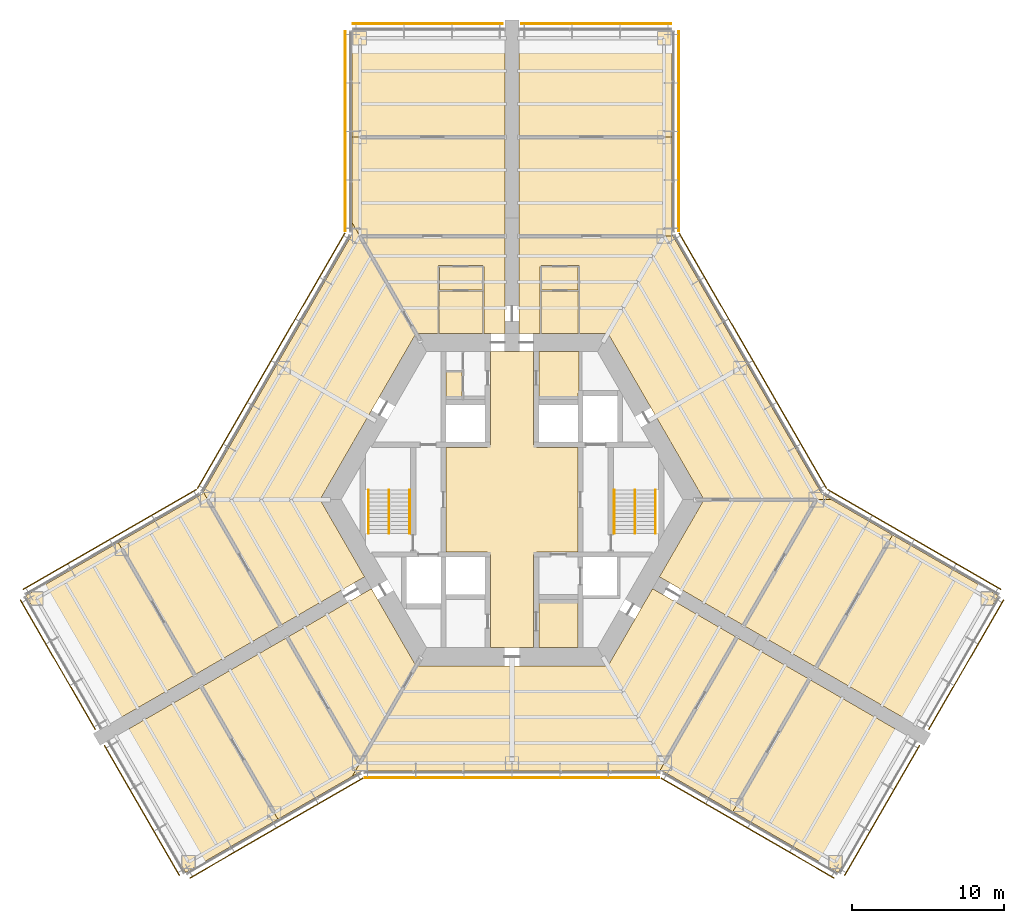
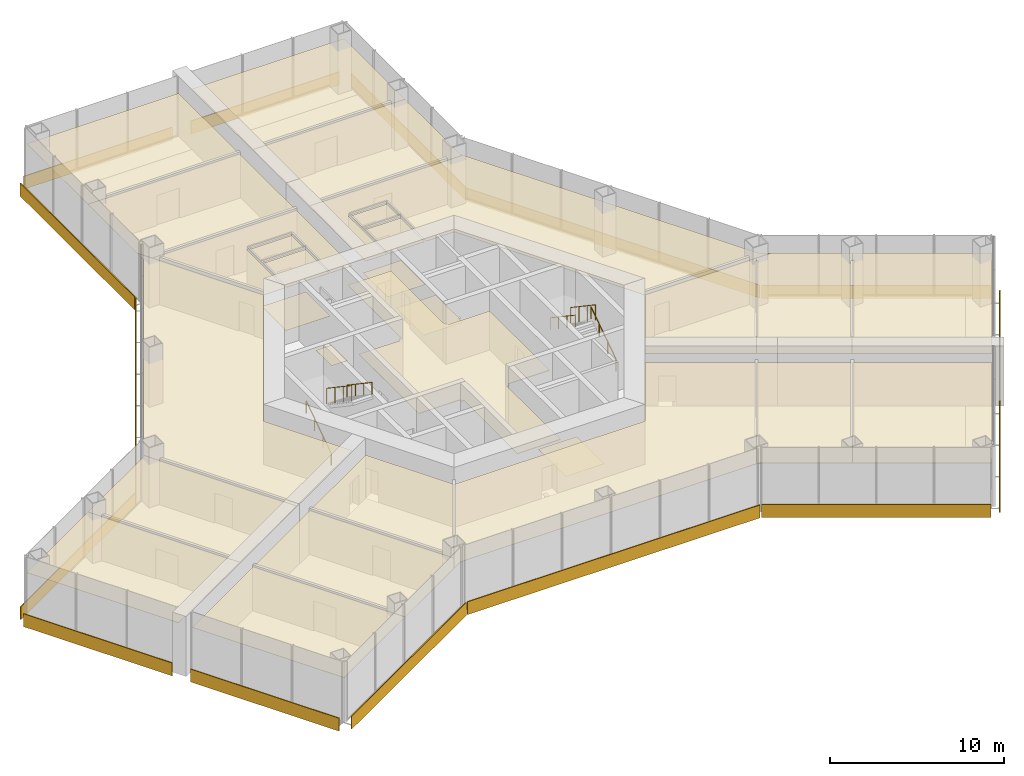
# One storey, part 15 of 15: 28 coverings, 15 shading devices, 6 railings.
"""IFC4 building model written with IfcOpenShell, lengths in metres."""

import ifcopenshell
import ifcopenshell.guid

model = None  # the IFC model being written
_history = None  # IfcOwnerHistory: only IFC2X3 demands one
_inside = {}  # id of a spatial element -> (the spatial element, [elements in it])
_under = {}  # id of a project, library or spatial element -> (it, [spatial elements below it])
_declared = {}  # id of a project -> (the project, [libraries it declares])
_typed = {}  # id of a type object -> (the type object, [elements of that type])
_made_of = {}  # id of a material, layer set ... -> (it, [elements and type objects made of it])


def new_model(schema):
    """Start an empty IFC model of exactly this schema.

    Asked for "IFC4X3", IfcOpenShell would pick the latest addendum, in which some entities
    have other attributes; the version numbers below select the first issue.
    IFC2X3 requires an IfcOwnerHistory on every rooted entity: one is made here for all.
    """
    global model, _history
    if schema == "IFC4X3":
        model = ifcopenshell.file(schema_version=(4, 3, 0, 0))
    else:
        model = ifcopenshell.file(schema=schema)
    _inside.clear()
    _under.clear()
    _declared.clear()
    _typed.clear()
    _made_of.clear()
    _history = None
    if model.schema == "IFC2X3":
        org = make("IfcOrganization", Name="unknown")
        user = make(
            "IfcPersonAndOrganization",
            ThePerson=make("IfcPerson", FamilyName="unknown"),
            TheOrganization=org,
        )
        app = make(
            "IfcApplication",
            ApplicationDeveloper=org,
            Version="unknown",
            ApplicationFullName="unknown",
            ApplicationIdentifier="unknown",
        )
        _history = make(
            "IfcOwnerHistory",
            OwningUser=user,
            OwningApplication=app,
            ChangeAction="ADDED",
            CreationDate=0,
        )
    return model


def make(cls, **values):
    """One entity of the class cls with the attributes given. An attribute that is None is left unset."""
    return model.create_entity(
        cls, **{name: value for name, value in values.items() if value is not None}
    )


def rooted(cls, **values):
    """An entity with a GlobalId (a new one), such as an element, a storey or a relation."""
    return make(cls, GlobalId=ifcopenshell.guid.new(), OwnerHistory=_history, **values)


def si_unit(unit_type, name, prefix=None):
    """IfcSIUnit, for example si_unit("LENGTHUNIT", "METRE", prefix="MILLI")."""
    return make("IfcSIUnit", UnitType=unit_type, Prefix=prefix, Name=name)


def assignment(units):
    """IfcUnitAssignment: the units of a project."""
    return None if units is None else make("IfcUnitAssignment", Units=units)


def point(xyz):
    """IfcCartesianPoint."""
    return None if xyz is None else make("IfcCartesianPoint", Coordinates=xyz)


def direction(xyz):
    """IfcDirection."""
    return None if xyz is None else make("IfcDirection", DirectionRatios=xyz)


def frame(location, z_axis=None, x_axis=None):
    """IfcAxis2Placement3D, a coordinate frame: its origin and axes. An axis left out is left unset."""
    return make(
        "IfcAxis2Placement3D",
        Location=point(location),
        Axis=direction(z_axis),
        RefDirection=direction(x_axis),
    )


def frame_2d(location, x_axis=None):
    """IfcAxis2Placement2D, a coordinate frame in the plane: its origin and x axis."""
    return make(
        "IfcAxis2Placement2D", Location=point(location), RefDirection=direction(x_axis)
    )


def origin():
    """The frame at (0, 0, 0) with its axes left unset."""
    return frame((0.0, 0.0, 0.0))


def origin_2d():
    """The frame at (0, 0) in the plane with its x axis left unset."""
    return frame_2d((0.0, 0.0))


def place(relative_to, where):
    """IfcLocalPlacement: puts the frame where relative to a parent placement (None: the world)."""
    return make(
        "IfcLocalPlacement", PlacementRelTo=relative_to, RelativePlacement=where
    )


def context(
    kind, dimensions, precision=None, world=None, true_north=None, identifier=None
):
    """IfcGeometricRepresentationContext, for example the 3D "Model" context."""
    return make(
        "IfcGeometricRepresentationContext",
        ContextIdentifier=identifier,
        ContextType=kind,
        CoordinateSpaceDimension=dimensions,
        Precision=precision,
        WorldCoordinateSystem=world,
        TrueNorth=true_north,
    )


def subcontext(parent, identifier, kind, view, scale=None):
    """IfcGeometricRepresentationSubContext, for example "Body" below "Model"."""
    return make(
        "IfcGeometricRepresentationSubContext",
        ContextIdentifier=identifier,
        ContextType=kind,
        ParentContext=parent,
        TargetScale=scale,
        TargetView=view,
    )


def project(units=None, contexts=None):
    """IfcProject with its units and contexts."""
    return rooted(
        "IfcProject",
        Name="project",
        RepresentationContexts=contexts,
        UnitsInContext=assignment(units),
    )


def spatial(cls, under=None, at=None, **own):
    """A site, building, storey or space (cls), placed at a placement, below another one or the project."""
    s = rooted(cls, ObjectPlacement=at, **own)
    if under is not None:
        _under.setdefault(under.id(), (under, []))[1].append(s)
    return s


def polyline(points):
    """IfcPolyline through the points."""
    return make("IfcPolyline", Points=[point(p) for p in points])


def profile(cls, at=None, kind="AREA", **sizes):
    """A parametric profile (cls). Its sizes go by their IFC names, for example OverallWidth=200.0."""
    return make(cls, ProfileType=kind, Position=at, **sizes)


def rectangle(**sizes):
    """IfcRectangleProfileDef."""
    return profile("IfcRectangleProfileDef", **sizes)


def circle(**sizes):
    """IfcCircleProfileDef."""
    return profile("IfcCircleProfileDef", **sizes)


def outline(outer, holes=None, kind="AREA"):
    """IfcArbitraryClosedProfileDef: a profile drawn as a closed curve; with holes, ...WithVoids."""
    if holes is None:
        return make("IfcArbitraryClosedProfileDef", ProfileType=kind, OuterCurve=outer)
    return make(
        "IfcArbitraryProfileDefWithVoids",
        ProfileType=kind,
        OuterCurve=outer,
        InnerCurves=holes,
    )


def extrude(swept, where, along, depth):
    """IfcExtrudedAreaSolid: the profile swept, set in the frame where, extruded along a direction by depth."""
    return make(
        "IfcExtrudedAreaSolid",
        SweptArea=swept,
        Position=where,
        ExtrudedDirection=direction(along),
        Depth=depth,
    )


def shape(context_of_items, identifier, shape_type, items):
    """IfcShapeRepresentation: the items that make up one representation, for example the "Body"."""
    return make(
        "IfcShapeRepresentation",
        ContextOfItems=context_of_items,
        RepresentationIdentifier=identifier,
        RepresentationType=shape_type,
        Items=items,
    )


def material(Name=None, Category=None):
    """IfcMaterial."""
    return make("IfcMaterial", Name=Name, Category=Category)


def layer(
    of_material, thickness, ventilated=None, Name=None, Category=None, Priority=None
):
    """IfcMaterialLayer: one layer of a wall or slab, of a material (None: an air gap)."""
    return make(
        "IfcMaterialLayer",
        Material=of_material,
        LayerThickness=thickness,
        IsVentilated=ventilated,
        Name=Name,
        Category=Category,
        Priority=Priority,
    )


def layer_set(layers, Name=None):
    """IfcMaterialLayerSet."""
    return make("IfcMaterialLayerSet", MaterialLayers=layers, LayerSetName=Name)


def made_of(thing, what):
    """Note that an element or type object is made of a material, layer set ...; save() writes the relation."""
    if what is not None:
        _made_of.setdefault(what.id(), (what, []))[1].append(thing)
    return thing


def type_object(cls, material=None, **own):
    """A type object (cls), such as IfcWallType, which elements share."""
    return made_of(rooted(cls, **own), material)


def element(
    cls,
    number,
    at=None,
    inside=None,
    cuts=None,
    type_object=None,
    material=None,
    context=None,
    identifier="Body",
    shape_type=None,
    held_by="IfcProductDefinitionShape",
    body=None,
    shapes=None,
    **own,
):
    """One element of the class cls, such as IfcWall. Its Tag is "e" and its number.

    at: its placement. inside: the storey or other place that contains it. cuts: it is an
    opening in that element (IfcRelVoidsElement). A single representation is given by context,
    identifier, shape_type and body (its items); several are given by shapes. held_by: the class
    of the entity that holds the representations. save() writes the other relations.
    """
    e = rooted(cls, Tag="e%d" % number, ObjectPlacement=at, **own)
    if body is not None:
        shapes = [shape(context, identifier, shape_type, body)]
    if shapes is not None:
        e.Representation = make(held_by, Representations=shapes)
    if inside is not None:
        _inside.setdefault(inside.id(), (inside, []))[1].append(e)
    if cuts is not None:
        rooted(
            "IfcRelVoidsElement", RelatingBuildingElement=cuts, RelatedOpeningElement=e
        )
    if type_object is not None:
        _typed.setdefault(type_object.id(), (type_object, []))[1].append(e)
    return made_of(e, material)


def aggregate(whole, parts):
    """IfcRelAggregates: a whole, such as a stair, and the parts it consists of."""
    return rooted("IfcRelAggregates", RelatingObject=whole, RelatedObjects=parts)


def save(model, path):
    """Write the relations noted so far, then the file.

    IfcRelAggregates (storeys below a building ...), IfcRelContainedInSpatialStructure (elements
    in a storey), IfcRelDefinesByType, IfcRelAssociatesMaterial and IfcRelDeclares: one each for
    every whole, place, type object, material and project.
    """
    for whole, parts in _under.values():
        aggregate(whole, parts)
    for where, things in _inside.values():
        rooted(
            "IfcRelContainedInSpatialStructure",
            RelatedElements=things,
            RelatingStructure=where,
        )
    for kind, things in _typed.values():
        rooted("IfcRelDefinesByType", RelatedObjects=things, RelatingType=kind)
    for what, things in _made_of.values():
        rooted("IfcRelAssociatesMaterial", RelatedObjects=things, RelatingMaterial=what)
    for by, libraries in _declared.values():
        rooted("IfcRelDeclares", RelatingContext=by, RelatedDefinitions=libraries)
    model.write(path)


model = new_model("IFC4")

# Units and contexts
model_context = context("Model", 3, precision=1e-05, world=origin(), true_north=direction((0.0, 1.0)))
body_context = subcontext(model_context, "Body", "Model", "MODEL_VIEW")
ifc_project = project(units=[si_unit("LENGTHUNIT", "METRE"), si_unit("AREAUNIT", "SQUARE_METRE"), si_unit("VOLUMEUNIT", "CUBIC_METRE"), si_unit("PLANEANGLEUNIT", "RADIAN"), si_unit("MASSUNIT", "GRAM", prefix="KILO")], contexts=[model_context])

# Site, building, storey
site_placement = place(None, origin())
site = spatial("IfcSite", under=ifc_project, at=site_placement, CompositionType="ELEMENT")
building_placement = place(site_placement, origin())
building = spatial("IfcBuilding", under=site, at=building_placement, Name="Kasaneha Research Tower", CompositionType="ELEMENT")
storey_placement = place(building_placement, frame((0.0, 0.0, 35.199951171875)))
storey = spatial("IfcBuildingStorey", under=building, at=storey_placement, Name="L09", CompositionType="ELEMENT", Elevation=35.199951171875)

# Coverings
ifc_material_1 = material(Name="Washable coated ceiling board", Category="gypsum")
ifc_layer_1 = layer(ifc_material_1, 0.02490234375)
ifc_layer_set_1 = layer_set([ifc_layer_1], Name="Laboratory ceiling 25")
covering_type_1 = type_object("IfcCoveringType", Name="Laboratory ceiling 25", PredefinedType="CEILING", material=ifc_layer_set_1)
covering_1_placement = place(storey_placement, frame((0.0, 0.0, 3.0)))
element("IfcCovering", 1, at=covering_1_placement, inside=storey, type_object=covering_type_1, Name="Ceiling L09-25", PredefinedType="CEILING", context=body_context, shape_type="SweptSolid", body=[
    extrude(outline(polyline([(1.949951171875, 10.925048828125), (1.949951171875, 13.675048828125), (4.35009765625, 13.675048828125), (4.35009765625, 10.925048828125), (1.949951171875, 10.925048828125)])), origin(), (0.0, 0.0, 1.0), 0.025146484375),
])
covering_2_placement = place(storey_placement, frame((0.0, 0.0, 3.0)))
element("IfcCovering", 2, at=covering_2_placement, inside=storey, type_object=covering_type_1, Name="Ceiling L09-26", PredefinedType="CEILING", context=body_context, shape_type="SweptSolid", body=[
    extrude(outline(polyline([(1.949951171875, 15.27490234375), (4.35009765625, 15.27490234375), (4.35009765625, 13.77490234375), (1.949951171875, 13.77490234375), (1.949951171875, 15.27490234375)])), origin(), (0.0, 0.0, 1.0), 0.025146484375),
])
covering_3_placement = place(storey_placement, frame((0.0, 0.0, 3.0)))
element("IfcCovering", 3, at=covering_3_placement, inside=storey, type_object=covering_type_1, Name="Ceiling L09-27", PredefinedType="CEILING", context=body_context, shape_type="SweptSolid", body=[
    extrude(outline(polyline([(12.614990234375, 0.0), (6.3076171875, 10.925048828125), (4.400390625, 10.925048828125), (4.400390625, 10.925048828125), (4.449951171875, 10.925048828125), (4.449951171875, 15.324951171875), (4.400390625, 15.324951171875), (4.400390625, 15.324951171875), (4.400390625, 15.3251953125), (4.400390625, 15.3251953125), (4.400390625, 15.3251953125), (4.400390625, 15.3251953125), (4.400390625, 15.3251953125), (4.400390625, 15.325439453125), (4.400390625, 15.325439453125), (4.400390625, 15.325439453125), (4.400390625, 15.325439453125), (4.400146484375, 15.325439453125), (4.400146484375, 15.325439453125), (4.400146484375, 15.325439453125), (4.400146484375, 15.325439453125), (4.400146484375, 15.325439453125), (4.39990234375, 15.325439453125), (4.39990234375, 15.375), (1.89990234375, 15.375), (1.89990234375, 15.325439453125), (1.89990234375, 15.325439453125), (1.89990234375, 15.325439453125), (1.89990234375, 15.325439453125), (1.89990234375, 15.325439453125), (1.899658203125, 15.325439453125), (1.899658203125, 15.325439453125), (1.899658203125, 15.325439453125), (1.899658203125, 15.325439453125), (1.899658203125, 15.325439453125), (1.899658203125, 15.3251953125), (1.899658203125, 15.3251953125), (1.899658203125, 15.3251953125), (1.8994140625, 15.3251953125), (1.8994140625, 15.3251953125), (1.8994140625, 15.324951171875), (1.8994140625, 15.324951171875), (1.85009765625, 15.324951171875), (1.85009765625, 10.925048828125), (0.449951171875, 10.925048828125), (0.449951171875, 11.72509765625), (0.449951171875, 12.72509765625), (0.449951171875, 17.320556640625), (10.577392578125, 17.320556640625), (20.365966796875, 0.365966796875), (21.0, 0.0), (12.614990234375, 0.0)])), origin(), (0.0, 0.0, 1.0), 0.025146484375),
])
covering_4_placement = place(storey_placement, frame((0.0, 0.0, 3.0)))
element("IfcCovering", 4, at=covering_4_placement, inside=storey, type_object=covering_type_1, Name="Ceiling L09-28", PredefinedType="CEILING", context=body_context, shape_type="SweptSolid", body=[
    extrude(outline(polyline([(10.5, 23.820556640625), (10.5, 17.45458984375), (10.577392578125, 17.320556640625), (0.449951171875, 17.320556640625), (0.449951171875, 23.820556640625), (10.5, 23.820556640625)])), origin(), (0.0, 0.0, 1.0), 0.025146484375),
])
covering_5_placement = place(storey_placement, frame((0.0, 0.0, 3.0)))
element("IfcCovering", 5, at=covering_5_placement, inside=storey, type_object=covering_type_1, Name="Ceiling L09-29", PredefinedType="CEILING", context=body_context, shape_type="SweptSolid", body=[
    extrude(outline(polyline([(10.5, 30.820556640625), (10.5, 23.820556640625), (0.449951171875, 23.820556640625), (0.449951171875, 30.820556640625), (10.5, 30.820556640625)])), origin(), (0.0, 0.0, 1.0), 0.025146484375),
])
covering_6_placement = place(storey_placement, frame((0.0, 0.0, 3.0)))
element("IfcCovering", 6, at=covering_6_placement, inside=storey, type_object=covering_type_1, Name="Ceiling L09-30", PredefinedType="CEILING", context=body_context, shape_type="SweptSolid", body=[
    extrude(outline(polyline([(-4.778564453125, 10.925048828125), (-4.778564453125, 13.675048828125), (-1.949951171875, 13.675048828125), (-1.949951171875, 10.925048828125), (-4.778564453125, 10.925048828125)])), origin(), (0.0, 0.0, 1.0), 0.025146484375),
])
covering_7_placement = place(storey_placement, frame((0.0, 0.0, 3.0)))
element("IfcCovering", 7, at=covering_7_placement, inside=storey, type_object=covering_type_1, Name="Ceiling L09-31", PredefinedType="CEILING", context=body_context, shape_type="SweptSolid", body=[
    extrude(outline(polyline([(-4.778564453125, 15.27490234375), (-1.949951171875, 15.27490234375), (-1.949951171875, 13.77490234375), (-4.778564453125, 13.77490234375), (-4.778564453125, 15.27490234375)])), origin(), (0.0, 0.0, 1.0), 0.025146484375),
])
covering_8_placement = place(storey_placement, frame((0.0, 0.0, 3.0)))
element("IfcCovering", 8, at=covering_8_placement, inside=storey, type_object=covering_type_1, Name="Ceiling L09-32", PredefinedType="CEILING", context=body_context, shape_type="SweptSolid", body=[
    extrude(outline(polyline([(-1.85009765625, 10.925048828125), (-1.85009765625, 15.324951171875), (-1.8994140625, 15.324951171875), (-1.8994140625, 15.324951171875), (-1.8994140625, 15.3251953125), (-1.8994140625, 15.3251953125), (-1.899658203125, 15.3251953125), (-1.899658203125, 15.3251953125), (-1.899658203125, 15.3251953125), (-1.899658203125, 15.325439453125), (-1.899658203125, 15.325439453125), (-1.899658203125, 15.325439453125), (-1.899658203125, 15.325439453125), (-1.899658203125, 15.325439453125), (-1.89990234375, 15.325439453125), (-1.89990234375, 15.325439453125), (-1.89990234375, 15.325439453125), (-1.89990234375, 15.325439453125), (-1.89990234375, 15.325439453125), (-1.89990234375, 15.375), (-4.82861328125, 15.375), (-4.82861328125, 15.325439453125), (-4.82861328125, 15.325439453125), (-4.82861328125, 15.325439453125), (-4.82861328125, 15.325439453125), (-4.828857421875, 15.325439453125), (-4.828857421875, 15.325439453125), (-4.828857421875, 15.325439453125), (-4.828857421875, 15.325439453125), (-4.828857421875, 15.325439453125), (-4.828857421875, 15.325439453125), (-4.8291015625, 15.3251953125), (-4.8291015625, 15.3251953125), (-4.8291015625, 15.3251953125), (-4.8291015625, 15.3251953125), (-4.8291015625, 15.3251953125), (-4.8291015625, 15.324951171875), (-4.8291015625, 15.324951171875), (-4.878662109375, 15.324951171875), (-4.878662109375, 10.925048828125), (-6.3076171875, 10.925048828125), (-10.0, 17.320556640625), (-0.449951171875, 17.320556640625), (-0.449951171875, 12.72509765625), (-0.449951171875, 11.72509765625), (-0.449951171875, 10.925048828125), (-1.85009765625, 10.925048828125)])), origin(), (0.0, 0.0, 1.0), 0.025146484375),
])
covering_9_placement = place(storey_placement, frame((0.0, 0.0, 3.0)))
element("IfcCovering", 9, at=covering_9_placement, inside=storey, type_object=covering_type_1, Name="Ceiling L09-33", PredefinedType="CEILING", context=body_context, shape_type="SweptSolid", body=[
    extrude(outline(polyline([(-10.5, 23.820556640625), (-0.449951171875, 23.820556640625), (-0.449951171875, 17.320556640625), (-10.0, 17.320556640625), (-10.5, 18.1865234375), (-10.5, 23.820556640625)])), origin(), (0.0, 0.0, 1.0), 0.025146484375),
])
covering_10_placement = place(storey_placement, frame((0.0, 0.0, 3.0)))
element("IfcCovering", 10, at=covering_10_placement, inside=storey, type_object=covering_type_1, Name="Ceiling L09-34", PredefinedType="CEILING", context=body_context, shape_type="SweptSolid", body=[
    extrude(outline(polyline([(-0.449951171875, 30.820556640625), (-0.449951171875, 23.820556640625), (-10.5, 23.820556640625), (-10.5, 30.820556640625), (-0.449951171875, 30.820556640625)])), origin(), (0.0, 0.0, 1.0), 0.025146484375),
])
covering_11_placement = place(storey_placement, frame((0.0, 0.0, 3.0)))
element("IfcCovering", 11, at=covering_11_placement, inside=storey, type_object=covering_type_1, Name="Ceiling L09-35", PredefinedType="CEILING", context=body_context, shape_type="SweptSolid", body=[
    extrude(outline(polyline([(-12.614990234375, 0.0), (-9.686279296875, -5.07275390625), (-9.895263671875, -5.193359375), (-10.379150390625, -5.472900390625), (-11.2451171875, -5.972900390625), (-14.55810546875, -7.885498046875), (-15.22509765625, -8.2705078125), (-20.28857421875, 0.5), (-10.5, 17.45458984375), (-10.5, 18.1865234375), (-6.3076171875, 10.925048828125), (-12.614990234375, 0.0)])), origin(), (0.0, 0.0, 1.0), 0.025146484375),
])
covering_12_placement = place(storey_placement, frame((0.0, 0.0, 3.0)))
element("IfcCovering", 12, at=covering_12_placement, inside=storey, type_object=covering_type_1, Name="Ceiling L09-36", PredefinedType="CEILING", context=body_context, shape_type="SweptSolid", body=[
    extrude(outline(polyline([(-25.879150390625, -2.81689453125), (-20.365966796875, 0.365966796875), (-20.28857421875, 0.5), (-15.22509765625, -8.2705078125), (-20.854248046875, -11.5205078125), (-25.879150390625, -2.81689453125)])), origin(), (0.0, 0.0, 1.0), 0.025146484375),
])
covering_13_placement = place(storey_placement, frame((0.0, 0.0, 3.0)))
element("IfcCovering", 13, at=covering_13_placement, inside=storey, type_object=covering_type_1, Name="Ceiling L09-37", PredefinedType="CEILING", context=body_context, shape_type="SweptSolid", body=[
    extrude(outline(polyline([(-31.94140625, -6.31689453125), (-25.879150390625, -2.81689453125), (-20.854248046875, -11.5205078125), (-26.916259765625, -15.0205078125), (-31.94140625, -6.31689453125)])), origin(), (0.0, 0.0, 1.0), 0.025146484375),
])
covering_14_placement = place(storey_placement, frame((0.0, 0.0, 3.0)))
element("IfcCovering", 14, at=covering_14_placement, inside=storey, type_object=covering_type_1, Name="Ceiling L09-38", PredefinedType="CEILING", context=body_context, shape_type="SweptSolid", body=[
    extrude(outline(polyline([(-9.236328125, -5.852294921875), (-6.3076171875, -10.925048828125), (-10.0, -17.320556640625), (-14.77490234375, -9.050048828125), (-9.92919921875, -6.252197265625), (-9.92919921875, -6.252197265625), (-9.236328125, -5.852294921875)])), origin(), (0.0, 0.0, 1.0), 0.025146484375),
])
covering_15_placement = place(storey_placement, frame((0.0, 0.0, 3.0)))
element("IfcCovering", 15, at=covering_15_placement, inside=storey, type_object=covering_type_1, Name="Ceiling L09-39", PredefinedType="CEILING", context=body_context, shape_type="SweptSolid", body=[
    extrude(outline(polyline([(-21.44140625, -24.50341796875), (-26.46630859375, -15.800048828125), (-20.404052734375, -12.300048828125), (-15.379150390625, -21.00341796875), (-21.44140625, -24.50341796875)])), origin(), (0.0, 0.0, 1.0), 0.025146484375),
])
covering_16_placement = place(storey_placement, frame((0.0, 0.0, 3.0)))
element("IfcCovering", 16, at=covering_16_placement, inside=storey, type_object=covering_type_1, Name="Ceiling L09-40", PredefinedType="CEILING", context=body_context, shape_type="SweptSolid", body=[
    extrude(outline(polyline([(-10.5, -18.1865234375), (-15.379150390625, -21.00341796875), (-20.404052734375, -12.300048828125), (-14.77490234375, -9.050048828125), (-10.0, -17.320556640625), (-10.5, -18.1865234375)])), origin(), (0.0, 0.0, 1.0), 0.025146484375),
])
covering_17_placement = place(storey_placement, frame((0.0, 0.0, 3.0)))
element("IfcCovering", 17, at=covering_17_placement, inside=storey, type_object=covering_type_1, Name="Ceiling L09-41", PredefinedType="CEILING", context=body_context, shape_type="SweptSolid", body=[
    extrude(outline(polyline([(11.2451171875, -5.972900390625), (10.379150390625, -5.472900390625), (9.686279296875, -5.07275390625), (12.614990234375, 0.0), (20.0, 0.0), (15.22509765625, -8.2705078125), (14.55810546875, -7.885498046875), (11.2451171875, -5.972900390625)])), origin(), (0.0, 0.0, 1.0), 0.025146484375),
])
covering_18_placement = place(storey_placement, frame((0.0, 0.0, 3.0)))
element("IfcCovering", 18, at=covering_18_placement, inside=storey, type_object=covering_type_1, Name="Ceiling L09-42", PredefinedType="CEILING", context=body_context, shape_type="SweptSolid", body=[
    extrude(outline(polyline([(19.988037109375, -11.0205078125), (25.01318359375, -2.31689453125), (31.94140625, -6.31689453125), (26.916259765625, -15.0205078125), (23.355224609375, -12.964599609375), (19.988037109375, -11.0205078125)])), origin(), (0.0, 0.0, 1.0), 0.025146484375),
])
covering_19_placement = place(storey_placement, frame((0.0, 0.0, 3.0)))
element("IfcCovering", 19, at=covering_19_placement, inside=storey, type_object=covering_type_1, Name="Ceiling L09-43", PredefinedType="CEILING", context=body_context, shape_type="SweptSolid", body=[
    extrude(outline(polyline([(15.22509765625, -8.2705078125), (20.0, 0.0), (21.0, 0.0), (25.01318359375, -2.31689453125), (19.988037109375, -11.0205078125), (15.6201171875, -8.49853515625), (15.22509765625, -8.2705078125)])), origin(), (0.0, 0.0, 1.0), 0.025146484375),
])
covering_20_placement = place(storey_placement, frame((0.0, 0.0, 3.0)))
element("IfcCovering", 20, at=covering_20_placement, inside=storey, type_object=covering_type_1, Name="Ceiling L09-44", PredefinedType="CEILING", context=body_context, shape_type="SweptSolid", body=[
    extrude(outline(polyline([(-10.5, -18.1865234375), (-6.3076171875, -10.925048828125), (6.3076171875, -10.925048828125), (9.236328125, -5.852294921875), (9.92919921875, -6.252197265625), (9.92919921875, -6.252197265625), (10.909423828125, -6.818359375), (14.77490234375, -9.050048828125), (9.71142578125, -17.820556640625), (-9.865966796875, -17.820556640625), (-10.5, -18.1865234375)])), origin(), (0.0, 0.0, 1.0), 0.025146484375),
])
covering_21_placement = place(storey_placement, frame((0.0, 0.0, 3.0)))
element("IfcCovering", 21, at=covering_21_placement, inside=storey, type_object=covering_type_1, Name="Ceiling L09-45", PredefinedType="CEILING", context=body_context, shape_type="SweptSolid", body=[
    extrude(outline(polyline([(14.77490234375, -9.050048828125), (19.5380859375, -11.800048828125), (14.51318359375, -20.50341796875), (9.865966796875, -17.820556640625), (9.71142578125, -17.820556640625), (14.77490234375, -9.050048828125)])), origin(), (0.0, 0.0, 1.0), 0.025146484375),
])
covering_22_placement = place(storey_placement, frame((0.0, 0.0, 3.0)))
element("IfcCovering", 22, at=covering_22_placement, inside=storey, type_object=covering_type_1, Name="Ceiling L09-46", PredefinedType="CEILING", context=body_context, shape_type="SweptSolid", body=[
    extrude(outline(polyline([(21.44140625, -24.50341796875), (14.51318359375, -20.50341796875), (19.5380859375, -11.800048828125), (26.46630859375, -15.800048828125), (21.44140625, -24.50341796875)])), origin(), (0.0, 0.0, 1.0), 0.025146484375),
])
ifc_material_2 = material(Name="Aluminium panel ceiling", Category="aluminium")
ifc_layer_2 = layer(ifc_material_2, 0.0400390625)
ifc_layer_set_2 = layer_set([ifc_layer_2], Name="Lift lobby ceiling 40")
covering_type_2 = type_object("IfcCoveringType", Name="Lift lobby ceiling 40", PredefinedType="CEILING", material=ifc_layer_set_2)
covering_23_placement = place(storey_placement, frame((0.0, 0.0, 2.699951171875)))
element("IfcCovering", 23, at=covering_23_placement, inside=storey, type_object=covering_type_2, Name="Ceiling L09-01", PredefinedType="CEILING", context=body_context, shape_type="SweptSolid", body=[
    extrude(outline(polyline([(1.425048828125, 9.72509765625), (1.425048828125, 3.60009765625), (1.60009765625, 3.60009765625), (1.60009765625, 3.425048828125), (4.324951171875, 3.425048828125), (4.324951171875, -3.425048828125), (1.60009765625, -3.425048828125), (1.60009765625, -3.60009765625), (1.425048828125, -3.60009765625), (1.425048828125, -9.72509765625), (-1.425048828125, -9.72509765625), (-1.425048828125, -3.60009765625), (-1.60009765625, -3.60009765625), (-1.60009765625, -3.425048828125), (-4.324951171875, -3.425048828125), (-4.324951171875, 3.425048828125), (-1.60009765625, 3.425048828125), (-1.60009765625, 3.60009765625), (-1.425048828125, 3.60009765625), (-1.425048828125, 9.72509765625), (1.425048828125, 9.72509765625)])), origin(), (0.0, 0.0, 1.0), 0.0400390625),
])

# Railings
ifc_material_3 = material(Name="Steel", Category="steel")
railing_type_1 = type_object("IfcRailingType", Name="Stair balustrade 1100", PredefinedType="GUARDRAIL", material=ifc_material_3)
for number, where, name in (
    (24, (8.074951171875, 0.635009765625, 2.275146484375), "Stair 1 balustrade L09"),
    (25, (-8.074951171875, 0.635009765625, 2.275146484375), "Stair 2 balustrade L09"),
):
    element("IfcRailing", number, at=place(storey_placement, frame(where)), inside=storey, type_object=railing_type_1, Name=name, PredefinedType="GUARDRAIL", context=body_context, shape_type="SweptSolid", body=[
        extrude(circle(Radius=0.02392578125, at=origin_2d()), frame((0.0, 0.0, 1.076171875), z_axis=(0.0, -0.829623704247, 0.558322943601), x_axis=(1.0, 0.0, 0.0)), (0.0, 0.0, 1.0), 3.447509765625),
        extrude(circle(Radius=0.02099609375, at=origin_2d()), origin(), (0.0, 0.0, 1.0), 1.052001953125),
        extrude(circle(Radius=0.02099609375, at=origin_2d()), frame((0.0, -0.953369140625, 0.6416015625)), (0.0, 0.0, 1.0), 1.052001953125),
        extrude(circle(Radius=0.02099609375, at=origin_2d()), frame((0.0, -1.90673828125, 1.283203125)), (0.0, 0.0, 1.0), 1.052001953125),
        extrude(circle(Radius=0.02099609375, at=origin_2d()), frame((0.0, -2.860107421875, 1.9248046875)), (0.0, 0.0, 1.0), 1.052001953125),
    ])
ifc_material_4 = material(Name="Steel", Category="steel")
railing_type_2 = type_object("IfcRailingType", Name="Stair handrail 850", PredefinedType="HANDRAIL", material=ifc_material_4)
railing_1_placement = place(storey_placement, frame((9.425048828125, -2.22509765625, 0.175048828125)))
element("IfcRailing", 26, at=railing_1_placement, inside=storey, type_object=railing_type_2, Name="Stair 1 handrail L09", PredefinedType="HANDRAIL", context=body_context, shape_type="SweptSolid", body=[
    extrude(circle(Radius=0.02392578125, at=origin_2d()), frame((0.0, 0.0, 0.826171875), z_axis=(0.0, 0.829590901723, 0.558371682465), x_axis=(-1.0, 0.0, 0.0)), (0.0, 0.0, 1.0), 3.447509765625),
    extrude(circle(Radius=0.02099609375, at=origin_2d()), origin(), (0.0, 0.0, 1.0), 0.802001953125),
    extrude(circle(Radius=0.02099609375, at=origin_2d()), frame((0.0, 0.953369140625, 0.6416015625)), (0.0, 0.0, 1.0), 0.802001953125),
    extrude(circle(Radius=0.02099609375, at=origin_2d()), frame((0.0, 1.90673828125, 1.283447265625)), (0.0, 0.0, 1.0), 0.802001953125),
    extrude(circle(Radius=0.02099609375, at=origin_2d()), frame((0.0, 2.860107421875, 1.925048828125)), (0.0, 0.0, 1.0), 0.802001953125),
])
railing_2_placement = place(storey_placement, frame((6.72509765625, 0.635009765625, 2.275146484375)))
element("IfcRailing", 27, at=railing_2_placement, inside=storey, type_object=railing_type_2, Name="Stair 1 handrail L09", PredefinedType="HANDRAIL", context=body_context, shape_type="SweptSolid", body=[
    extrude(circle(Radius=0.02392578125, at=origin_2d()), frame((0.0, 0.0, 0.826171875), z_axis=(0.0, -0.829623704247, 0.558322943601), x_axis=(1.0, 0.0, 0.0)), (0.0, 0.0, 1.0), 3.447509765625),
    extrude(circle(Radius=0.02099609375, at=origin_2d()), origin(), (0.0, 0.0, 1.0), 0.802001953125),
    extrude(circle(Radius=0.02099609375, at=origin_2d()), frame((0.0, -0.953369140625, 0.6416015625)), (0.0, 0.0, 1.0), 0.802001953125),
    extrude(circle(Radius=0.02099609375, at=origin_2d()), frame((0.0, -1.90673828125, 1.283203125)), (0.0, 0.0, 1.0), 0.802001953125),
    extrude(circle(Radius=0.02099609375, at=origin_2d()), frame((0.0, -2.860107421875, 1.9248046875)), (0.0, 0.0, 1.0), 0.802001953125),
])
railing_3_placement = place(storey_placement, frame((-9.425048828125, -2.22509765625, 0.175048828125)))
element("IfcRailing", 28, at=railing_3_placement, inside=storey, type_object=railing_type_2, Name="Stair 2 handrail L09", PredefinedType="HANDRAIL", context=body_context, shape_type="SweptSolid", body=[
    extrude(circle(Radius=0.02392578125, at=origin_2d()), frame((0.0, 0.0, 0.826171875), z_axis=(0.0, 0.829590901723, 0.558371682465), x_axis=(-1.0, 0.0, 0.0)), (0.0, 0.0, 1.0), 3.447509765625),
    extrude(circle(Radius=0.02099609375, at=origin_2d()), origin(), (0.0, 0.0, 1.0), 0.802001953125),
    extrude(circle(Radius=0.02099609375, at=origin_2d()), frame((0.0, 0.953369140625, 0.6416015625)), (0.0, 0.0, 1.0), 0.802001953125),
    extrude(circle(Radius=0.02099609375, at=origin_2d()), frame((0.0, 1.90673828125, 1.283447265625)), (0.0, 0.0, 1.0), 0.802001953125),
    extrude(circle(Radius=0.02099609375, at=origin_2d()), frame((0.0, 2.860107421875, 1.925048828125)), (0.0, 0.0, 1.0), 0.802001953125),
])
railing_4_placement = place(storey_placement, frame((-6.72509765625, 0.635009765625, 2.275146484375)))
element("IfcRailing", 29, at=railing_4_placement, inside=storey, type_object=railing_type_2, Name="Stair 2 handrail L09", PredefinedType="HANDRAIL", context=body_context, shape_type="SweptSolid", body=[
    extrude(circle(Radius=0.02392578125, at=origin_2d()), frame((0.0, 0.0, 0.826171875), z_axis=(0.0, -0.829623704247, 0.558322943601), x_axis=(1.0, 0.0, 0.0)), (0.0, 0.0, 1.0), 3.447509765625),
    extrude(circle(Radius=0.02099609375, at=origin_2d()), origin(), (0.0, 0.0, 1.0), 0.802001953125),
    extrude(circle(Radius=0.02099609375, at=origin_2d()), frame((0.0, -0.953369140625, 0.6416015625)), (0.0, 0.0, 1.0), 0.802001953125),
    extrude(circle(Radius=0.02099609375, at=origin_2d()), frame((0.0, -1.90673828125, 1.283203125)), (0.0, 0.0, 1.0), 0.802001953125),
    extrude(circle(Radius=0.02099609375, at=origin_2d()), frame((0.0, -2.860107421875, 1.9248046875)), (0.0, 0.0, 1.0), 0.802001953125),
])

# Shading devices
ifc_material_5 = material(Name="Terracotta", Category="masonry")
ifc_layer_3 = layer(ifc_material_5, 0.06005859375)
ifc_layer_set_3 = layer_set([ifc_layer_3], Name="Terracotta baguette screen")
shading_device_type = type_object("IfcShadingDeviceType", Name="Terracotta baguette screen", PredefinedType="USERDEFINED", material=ifc_layer_set_3)
shading_device_1_placement = place(storey_placement, frame((-15.483642578125, -21.58349609375, -0.449951171875), z_axis=(0.0, 0.0, 1.0), x_axis=(0.866025411464, 0.499999986699, 0.0)))
element("IfcShadingDevice", 30, at=shading_device_1_placement, inside=storey, type_object=shading_device_type, Name="Baguette screen L09 01", ObjectType="TERRACOTTA BAGUETTE SCREEN", PredefinedType="USERDEFINED", context=body_context, shape_type="SweptSolid", body=[
    extrude(rectangle(XDim=13.13916015625, YDim=0.06005859375, at=origin_2d()), origin(), (0.0, 0.0, 1.0), 0.89990234375),
])
shading_device_2_placement = place(storey_placement, frame((0.0, -18.2705078125, -0.449951171875), z_axis=(0.0, 0.0, 1.0), x_axis=(1.0, 0.0, 0.0)))
element("IfcShadingDevice", 31, at=shading_device_2_placement, inside=storey, type_object=shading_device_type, Name="Baguette screen L09 02", ObjectType="TERRACOTTA BAGUETTE SCREEN", PredefinedType="USERDEFINED", context=body_context, shape_type="SweptSolid", body=[
    extrude(rectangle(XDim=19.37841796875, YDim=0.06005859375, at=origin_2d()), origin(), (0.0, 0.0, 1.0), 0.89990234375),
])
shading_device_3_placement = place(storey_placement, frame((15.483642578125, -21.58349609375, -0.449951171875), z_axis=(0.0, 0.0, 1.0), x_axis=(0.866025411464, -0.499999986699, 0.0)))
element("IfcShadingDevice", 32, at=shading_device_3_placement, inside=storey, type_object=shading_device_type, Name="Baguette screen L09 03", ObjectType="TERRACOTTA BAGUETTE SCREEN", PredefinedType="USERDEFINED", context=body_context, shape_type="SweptSolid", body=[
    extrude(rectangle(XDim=13.13916015625, YDim=0.06005859375, at=origin_2d()), origin(), (0.0, 0.0, 1.0), 0.89990234375),
])
for number, where, z_axis, x_axis, name in (
    (33, (24.318603515625, -20.420166015625, -0.449951171875), (0.0, 0.0, 1.0), (0.500000011442, 0.866025397178, 0.0), "Baguette screen L09 04"),
    (34, (29.843505859375, -10.850341796875, -0.449951171875), (0.0, 0.0, 1.0), (0.500000011442, 0.866025397178, 0.0), "Baguette screen L09 05"),
):
    element("IfcShadingDevice", number, at=place(storey_placement, frame(where, z_axis=z_axis, x_axis=x_axis)), inside=storey, type_object=shading_device_type, Name=name, ObjectType="TERRACOTTA BAGUETTE SCREEN", PredefinedType="USERDEFINED", context=body_context, shape_type="SweptSolid", body=[
        extrude(rectangle(XDim=9.85009765625, YDim=0.06005859375, at=origin_2d()), origin(), (0.0, 0.0, 1.0), 0.89990234375),
    ])
shading_device_4_placement = place(storey_placement, frame((26.43359375, -2.617431640625, -0.449951171875), z_axis=(0.0, 0.0, 1.0), x_axis=(-0.866025411464, 0.499999986699, 0.0)))
element("IfcShadingDevice", 35, at=shading_device_4_placement, inside=storey, type_object=shading_device_type, Name="Baguette screen L09 06", ObjectType="TERRACOTTA BAGUETTE SCREEN", PredefinedType="USERDEFINED", context=body_context, shape_type="SweptSolid", body=[
    extrude(rectangle(XDim=13.13916015625, YDim=0.06005859375, at=origin_2d()), origin(), (0.0, 0.0, 1.0), 0.89990234375),
])
shading_device_5_placement = place(storey_placement, frame((15.82275390625, 9.13525390625, -0.449951171875), z_axis=(0.0, 0.0, 1.0), x_axis=(-0.49999996188, 0.866025425793, 0.0)))
element("IfcShadingDevice", 36, at=shading_device_5_placement, inside=storey, type_object=shading_device_type, Name="Baguette screen L09 07", ObjectType="TERRACOTTA BAGUETTE SCREEN", PredefinedType="USERDEFINED", context=body_context, shape_type="SweptSolid", body=[
    extrude(rectangle(XDim=19.37841796875, YDim=0.06005859375, at=origin_2d()), origin(), (0.0, 0.0, 1.0), 0.89990234375),
])
shading_device_6_placement = place(storey_placement, frame((10.949951171875, 24.200927734375, -0.449951171875), z_axis=(0.0, 0.0, 1.0), x_axis=(0.0, 1.0, 0.0)))
element("IfcShadingDevice", 37, at=shading_device_6_placement, inside=storey, type_object=shading_device_type, Name="Baguette screen L09 08", ObjectType="TERRACOTTA BAGUETTE SCREEN", PredefinedType="USERDEFINED", context=body_context, shape_type="SweptSolid", body=[
    extrude(rectangle(XDim=13.13916015625, YDim=0.06005859375, at=origin_2d()), origin(), (0.0, 0.0, 1.0), 0.89990234375),
])
for number, where, z_axis, x_axis, name in (
    (38, (5.52490234375, 31.2705078125, -0.449951171875), (0.0, 0.0, 1.0), (-1.0, 0.0, 0.0), "Baguette screen L09 09"),
    (39, (-5.52490234375, 31.2705078125, -0.449951171875), (0.0, 0.0, 1.0), (-1.0, 0.0, 0.0), "Baguette screen L09 10"),
):
    element("IfcShadingDevice", number, at=place(storey_placement, frame(where, z_axis=z_axis, x_axis=x_axis)), inside=storey, type_object=shading_device_type, Name=name, ObjectType="TERRACOTTA BAGUETTE SCREEN", PredefinedType="USERDEFINED", context=body_context, shape_type="SweptSolid", body=[
        extrude(rectangle(XDim=9.85009765625, YDim=0.06005859375, at=origin_2d()), origin(), (0.0, 0.0, 1.0), 0.89990234375),
    ])
shading_device_7_placement = place(storey_placement, frame((-10.949951171875, 24.200927734375, -0.449951171875), z_axis=(0.0, 0.0, 1.0), x_axis=(0.0, -1.0, 0.0)))
element("IfcShadingDevice", 40, at=shading_device_7_placement, inside=storey, type_object=shading_device_type, Name="Baguette screen L09 11", ObjectType="TERRACOTTA BAGUETTE SCREEN", PredefinedType="USERDEFINED", context=body_context, shape_type="SweptSolid", body=[
    extrude(rectangle(XDim=13.13916015625, YDim=0.06005859375, at=origin_2d()), origin(), (0.0, 0.0, 1.0), 0.89990234375),
])
shading_device_8_placement = place(storey_placement, frame((-15.82275390625, 9.13525390625, -0.449951171875), z_axis=(0.0, 0.0, 1.0), x_axis=(-0.49999996188, -0.866025425793, 0.0)))
element("IfcShadingDevice", 41, at=shading_device_8_placement, inside=storey, type_object=shading_device_type, Name="Baguette screen L09 12", ObjectType="TERRACOTTA BAGUETTE SCREEN", PredefinedType="USERDEFINED", context=body_context, shape_type="SweptSolid", body=[
    extrude(rectangle(XDim=19.37841796875, YDim=0.06005859375, at=origin_2d()), origin(), (0.0, 0.0, 1.0), 0.89990234375),
])
shading_device_9_placement = place(storey_placement, frame((-26.43359375, -2.617431640625, -0.449951171875), z_axis=(0.0, 0.0, 1.0), x_axis=(-0.866025411464, -0.499999986699, 0.0)))
element("IfcShadingDevice", 42, at=shading_device_9_placement, inside=storey, type_object=shading_device_type, Name="Baguette screen L09 13", ObjectType="TERRACOTTA BAGUETTE SCREEN", PredefinedType="USERDEFINED", context=body_context, shape_type="SweptSolid", body=[
    extrude(rectangle(XDim=13.13916015625, YDim=0.06005859375, at=origin_2d()), origin(), (0.0, 0.0, 1.0), 0.89990234375),
])
for number, where, z_axis, x_axis, name in (
    (43, (-29.843505859375, -10.850341796875, -0.449951171875), (0.0, 0.0, 1.0), (0.500000011442, -0.866025397178, 0.0), "Baguette screen L09 14"),
    (44, (-24.318603515625, -20.420166015625, -0.449951171875), (0.0, 0.0, 1.0), (0.500000011442, -0.866025397178, 0.0), "Baguette screen L09 15"),
):
    element("IfcShadingDevice", number, at=place(storey_placement, frame(where, z_axis=z_axis, x_axis=x_axis)), inside=storey, type_object=shading_device_type, Name=name, ObjectType="TERRACOTTA BAGUETTE SCREEN", PredefinedType="USERDEFINED", context=body_context, shape_type="SweptSolid", body=[
        extrude(rectangle(XDim=9.85009765625, YDim=0.06005859375, at=origin_2d()), origin(), (0.0, 0.0, 1.0), 0.89990234375),
    ])

# Coverings
ifc_material_6 = material(Name="Vinyl sheet flooring", Category="plastic")
ifc_layer_4 = layer(ifc_material_6, 0.0048828125)
ifc_layer_set_4 = layer_set([ifc_layer_4], Name="Wet room sheet flooring 5")
covering_type_3 = type_object("IfcCoveringType", Name="Wet room sheet flooring 5", PredefinedType="FLOORING", material=ifc_layer_set_4)
covering_24_placement = place(storey_placement, origin())
element("IfcCovering", 45, at=covering_24_placement, inside=storey, type_object=covering_type_3, Name="Floor finish L09-07", PredefinedType="FLOORING", context=body_context, shape_type="SweptSolid", body=[
    extrude(outline(polyline([(-4.324951171875, 6.574951171875), (-4.324951171875, 8.375), (-3.27490234375, 8.375), (-3.27490234375, 6.574951171875), (-4.324951171875, 6.574951171875)])), origin(), (0.0, 0.0, 1.0), 0.005126953125),
])
covering_25_placement = place(storey_placement, origin())
element("IfcCovering", 46, at=covering_25_placement, inside=storey, type_object=covering_type_3, Name="Floor finish L09-09", PredefinedType="FLOORING", context=body_context, shape_type="SweptSolid", body=[
    extrude(outline(polyline([(4.39892578125, 9.72509765625), (4.39892578125, 7.175048828125), (4.39892578125, 7.1748046875), (4.39892578125, 7.1748046875), (4.39892578125, 7.1748046875), (4.399169921875, 7.174560546875), (4.399169921875, 7.174560546875), (4.399169921875, 7.174560546875), (4.399169921875, 7.17431640625), (4.399169921875, 7.17431640625), (4.3994140625, 7.17431640625), (4.3994140625, 7.174072265625), (4.3994140625, 7.174072265625), (4.399658203125, 7.174072265625), (4.399658203125, 7.174072265625), (4.39990234375, 7.174072265625), (4.39990234375, 7.174072265625), (4.39990234375, 7.174072265625), (4.5, 7.174072265625), (4.5, 7.0), (4.324951171875, 7.0), (4.324951171875, 6.574951171875), (1.77490234375, 6.574951171875), (1.77490234375, 9.72509765625), (4.39892578125, 9.72509765625)])), origin(), (0.0, 0.0, 1.0), 0.005126953125),
])
covering_26_placement = place(storey_placement, origin())
element("IfcCovering", 47, at=covering_26_placement, inside=storey, type_object=covering_type_3, Name="Floor finish L09-11", PredefinedType="FLOORING", context=body_context, shape_type="SweptSolid", body=[
    extrude(outline(polyline([(1.77490234375, -9.72509765625), (1.77490234375, -6.574951171875), (4.324951171875, -6.574951171875), (4.324951171875, -9.72509765625), (1.77490234375, -9.72509765625)])), origin(), (0.0, 0.0, 1.0), 0.005126953125),
])
covering_27_placement = place(storey_placement, origin())
element("IfcCovering", 48, at=covering_27_placement, inside=storey, type_object=covering_type_3, Name="Floor finish L09-25", PredefinedType="FLOORING", context=body_context, shape_type="SweptSolid", body=[
    extrude(outline(polyline([(1.89990234375, 13.72509765625), (4.39990234375, 13.72509765625), (4.39990234375, 10.925048828125), (1.89990234375, 10.925048828125), (1.89990234375, 13.72509765625)])), origin(), (0.0, 0.0, 1.0), 0.005126953125),
])
covering_28_placement = place(storey_placement, origin())
element("IfcCovering", 49, at=covering_28_placement, inside=storey, type_object=covering_type_3, Name="Floor finish L09-30", PredefinedType="FLOORING", context=body_context, shape_type="SweptSolid", body=[
    extrude(outline(polyline([(-4.82861328125, 10.925048828125), (-4.82861328125, 13.72509765625), (-1.89990234375, 13.72509765625), (-1.89990234375, 10.925048828125), (-4.82861328125, 10.925048828125)])), origin(), (0.0, 0.0, 1.0), 0.005126953125),
])

save(model, "model.ifc")
